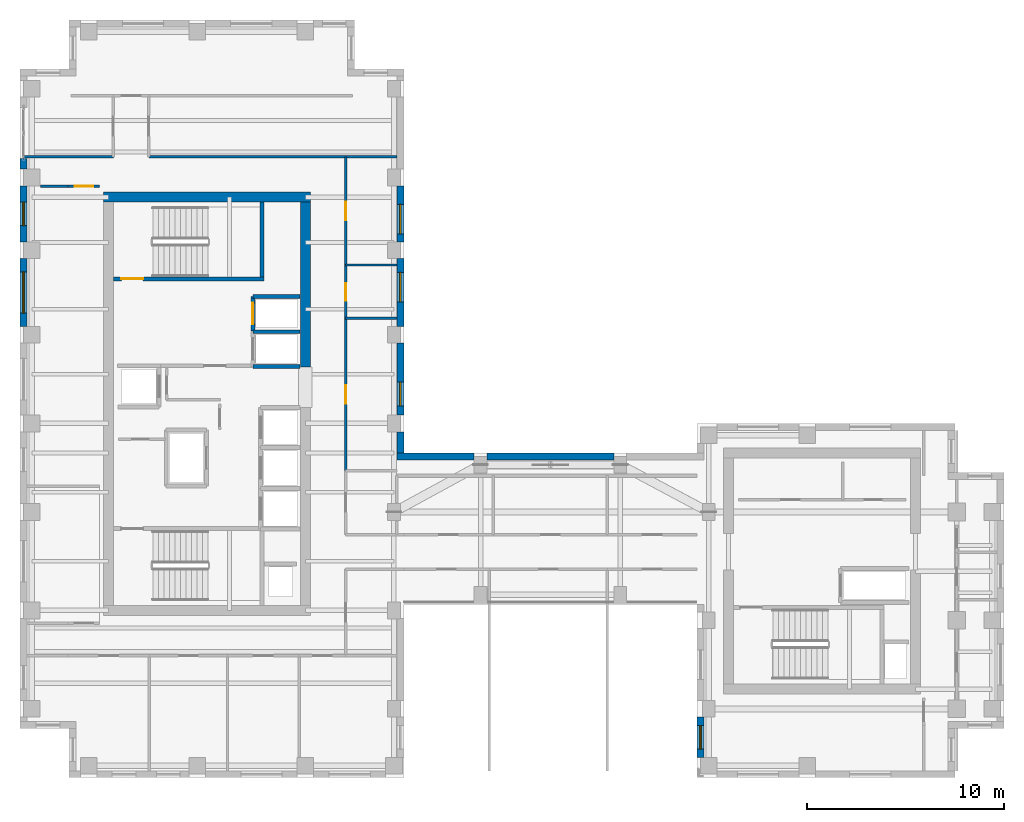
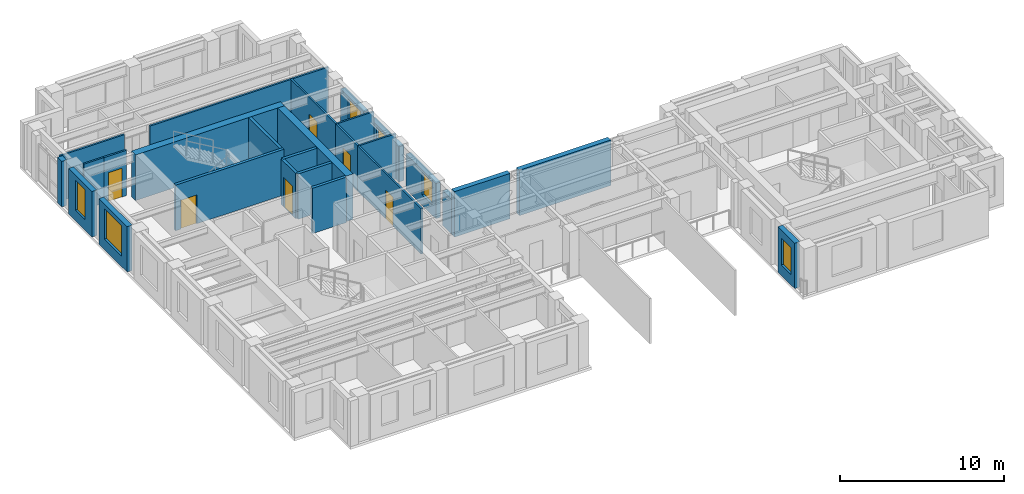
# One storey, part 8 of 14: 27 walls, 6 doors, 6 windows, 12 openings.
"""IFC4 building model written with IfcOpenShell, lengths in metres."""

from ifc_helpers import new_model, si_unit, direction, frame, frame_2d, origin, place, context, subcontext, project, spatial, rectangle, extrude, source, transform, mapped, material, layer, layer_set, type_object, element, fill, save


model = new_model("IFC4")

# Units and contexts
model_context = context("Model", 3, precision=1e-05, world=origin(), true_north=direction((0.0, 1.0)))
body_context = subcontext(model_context, "Body", "Model", "MODEL_VIEW")
ifc_project = project(units=[si_unit("LENGTHUNIT", "METRE"), si_unit("AREAUNIT", "SQUARE_METRE"), si_unit("VOLUMEUNIT", "CUBIC_METRE"), si_unit("PLANEANGLEUNIT", "RADIAN"), si_unit("MASSUNIT", "GRAM", prefix="KILO")], contexts=[model_context])

# Site, building, storey
site_placement = place(None, origin())
site = spatial("IfcSite", under=ifc_project, at=site_placement, CompositionType="ELEMENT")
building_placement = place(site_placement, origin())
building = spatial("IfcBuilding", under=site, at=building_placement, Name="Kharzan Plaza Tower", CompositionType="ELEMENT")
storey_placement = place(building_placement, frame((0.0, 0.0, 241.199951171875)))
storey = spatial("IfcBuildingStorey", under=building, at=storey_placement, Name="L65", CompositionType="ELEMENT", Elevation=241.199951171875)

# Wall, opening, window
ifc_material_1 = material(Name="Concrete C40/50", Category="concrete")
ifc_layer_1 = layer(ifc_material_1, 0.35009765625)
ifc_layer_set_1 = layer_set([ifc_layer_1], Name="Concrete C40/50")
wall_type_1 = type_object("IfcWallType", Name="WL-EXT-MAS-Z4", PredefinedType="SOLIDWALL", material=ifc_layer_set_1)
wall_1_placement = place(storey_placement, frame((19.324951171875, 18.423095703125, 0.0), z_axis=(0.0, 0.0, 1.0), x_axis=(0.0, 1.0, 0.0)))
wall_1 = element("IfcWall", 1, at=wall_1_placement, inside=storey, type_object=wall_type_1, Name="L65 Masonry-Frame Exterior Wall 02", PredefinedType="SOLIDWALL", context=body_context, shape_type="SweptSolid", body=[
    extrude(rectangle(XDim=3.65380859375, YDim=0.35009765625, at=frame_2d((1.826904296875, 0.0))), origin(), (0.0, 0.0, 1.0), 2.619140625),
])
opening_1_placement = place(wall_1_placement, frame((0.469970703125, 0.0, 0.780029296875)))
opening_1 = element("IfcOpeningElement", 2, at=opening_1_placement, cuts=wall_1, Name="Opening W3", PredefinedType="OPENING", context=body_context, shape_type="SweptSolid", body=[
    extrude(rectangle(XDim=1.199951171875, YDim=1.658935546875, at=frame_2d((0.60009765625, 0.82958984375))), frame((0.0, 0.18505859375, 0.0), z_axis=(0.0, -1.0, 0.0), x_axis=(1.0, 0.0, 0.0)), (0.0, 0.0, 1.0), 0.3701171875),
])
ifc_material_2 = material(Name="Low-E Double Glazing", Category="glass")
window_type_1 = type_object("IfcWindowType", Name="WN-REC-1200x2100", PartitioningType="SINGLE_PANEL", PredefinedType="WINDOW", material=ifc_material_2)
shared_shape_1 = source(origin(), body_context, "Body", "SweptSolid", [
    extrude(rectangle(XDim=1.199951171875, YDim=1.658935546875, at=frame_2d((0.60009765625, 0.82958984375))), frame((0.0, 0.030029296875, 0.0), z_axis=(0.0, -1.0, 0.0), x_axis=(1.0, 0.0, 0.0)), (0.0, 0.0, 1.0), 0.06005859375),
])
window_1_placement = place(opening_1_placement, origin())
window_1 = element("IfcWindow", 3, at=window_1_placement, inside=storey, type_object=window_type_1, Name="L65 Recessed Solar-Control Window 02-1", OverallHeight=1.658935546875, OverallWidth=1.199951171875, PartitioningType="SINGLE_PANEL", PredefinedType="WINDOW", context=body_context, shape_type="MappedRepresentation", body=[
    mapped(shared_shape_1, transform((0.0, 0.0, 0.0), x_axis=(1.0, 0.0, 0.0), y_axis=(0.0, 1.0, 0.0), z_axis=(0.0, 0.0, 1.0))),
])
fill(opening_1, window_1)

wall_2_placement = place(storey_placement, frame((19.324951171875, 22.923095703125, 0.0), z_axis=(0.0, 0.0, 1.0), x_axis=(0.0, 1.0, 0.0)))
wall_2 = element("IfcWall", 4, at=wall_2_placement, inside=storey, type_object=wall_type_1, Name="L65 Masonry-Frame Exterior Wall 03", PredefinedType="SOLIDWALL", context=body_context, shape_type="SweptSolid", body=[
    extrude(rectangle(XDim=3.453857421875, YDim=0.35009765625, at=frame_2d((1.72705078125, 0.0))), origin(), (0.0, 0.0, 1.0), 2.619140625),
])
opening_2_placement = place(wall_2_placement, frame((1.255615234375, 0.0, 0.780029296875)))
opening_2 = element("IfcOpeningElement", 5, at=opening_2_placement, cuts=wall_2, Name="Opening W5", PredefinedType="OPENING", context=body_context, shape_type="SweptSolid", body=[
    extrude(rectangle(XDim=1.5, YDim=1.658935546875, at=frame_2d((0.75, 0.82958984375))), frame((0.0, 0.18505859375, 0.0), z_axis=(0.0, -1.0, 0.0), x_axis=(1.0, 0.0, 0.0)), (0.0, 0.0, 1.0), 0.3701171875),
])
window_type_2 = type_object("IfcWindowType", Name="WN-SLT-1500x2000", PartitioningType="SINGLE_PANEL", PredefinedType="WINDOW", material=ifc_material_2)
shared_shape_2 = source(origin(), body_context, "Body", "SweptSolid", [
    extrude(rectangle(XDim=1.5, YDim=1.658935546875, at=frame_2d((0.75, 0.82958984375))), frame((0.0, 0.030029296875, 0.0), z_axis=(0.0, -1.0, 0.0), x_axis=(1.0, 0.0, 0.0)), (0.0, 0.0, 1.0), 0.06005859375),
])
window_2_placement = place(opening_2_placement, origin())
window_2 = element("IfcWindow", 6, at=window_2_placement, inside=storey, type_object=window_type_2, Name="L65 Recessed Solar-Control Window 03-1", OverallHeight=1.658935546875, OverallWidth=1.5, PartitioningType="SINGLE_PANEL", PredefinedType="WINDOW", context=body_context, shape_type="MappedRepresentation", body=[
    mapped(shared_shape_2, transform((0.0, 0.0, 0.0), x_axis=(1.0, 0.0, 0.0), y_axis=(0.0, 1.0, 0.0), z_axis=(0.0, 0.0, 1.0))),
])
fill(opening_2, window_2)

wall_3_placement = place(storey_placement, frame((19.324951171875, 27.222900390625, 0.0), z_axis=(0.0, 0.0, 1.0), x_axis=(0.0, 1.0, 0.0)))
wall_3 = element("IfcWall", 7, at=wall_3_placement, inside=storey, type_object=wall_type_1, Name="L65 Masonry-Frame Exterior Wall 04", PredefinedType="SOLIDWALL", context=body_context, shape_type="SweptSolid", body=[
    extrude(rectangle(XDim=2.85400390625, YDim=0.35009765625, at=frame_2d((1.427001953125, 0.0))), origin(), (0.0, 0.0, 1.0), 2.619140625),
])
opening_3_placement = place(wall_3_placement, frame((0.411376953125, 0.0, 0.780029296875)))
opening_3 = element("IfcOpeningElement", 8, at=opening_3_placement, cuts=wall_3, Name="Opening W5", PredefinedType="OPENING", context=body_context, shape_type="SweptSolid", body=[
    extrude(rectangle(XDim=1.5, YDim=1.658935546875, at=frame_2d((0.75, 0.82958984375))), frame((0.0, 0.18505859375, 0.0), z_axis=(0.0, -1.0, 0.0), x_axis=(1.0, 0.0, 0.0)), (0.0, 0.0, 1.0), 0.3701171875),
])
window_3_placement = place(opening_3_placement, origin())
window_3 = element("IfcWindow", 9, at=window_3_placement, inside=storey, type_object=window_type_2, Name="L65 Recessed Solar-Control Window 04-1", OverallHeight=1.658935546875, OverallWidth=1.5, PartitioningType="SINGLE_PANEL", PredefinedType="WINDOW", context=body_context, shape_type="MappedRepresentation", body=[
    mapped(shared_shape_2, transform((0.0, 0.0, 0.0), x_axis=(1.0, 0.0, 0.0), y_axis=(0.0, 1.0, 0.0), z_axis=(0.0, 0.0, 1.0))),
])
fill(opening_3, window_3)

wall_4_placement = place(storey_placement, frame((0.175048828125, 30.076904296875, 0.0), z_axis=(0.0, 0.0, 1.0), x_axis=(0.0, -1.0, 0.0)))
wall_4 = element("IfcWall", 10, at=wall_4_placement, inside=storey, type_object=wall_type_1, Name="L65 Masonry-Frame Exterior Wall 18", PredefinedType="SOLIDWALL", context=body_context, shape_type="SweptSolid", body=[
    extrude(rectangle(XDim=2.85400390625, YDim=0.35009765625, at=frame_2d((1.427001953125, 0.0))), origin(), (0.0, 0.0, 1.0), 3.385009765625),
])
opening_4_placement = place(wall_4_placement, frame((0.826904296875, 0.0, 0.780029296875)))
opening_4 = element("IfcOpeningElement", 11, at=opening_4_placement, cuts=wall_4, Name="Opening W3", PredefinedType="OPENING", context=body_context, shape_type="SweptSolid", body=[
    extrude(rectangle(XDim=1.199951171875, YDim=2.25, at=frame_2d((0.60009765625, 1.125))), frame((0.0, 0.18505859375, 0.0), z_axis=(0.0, -1.0, 0.0), x_axis=(1.0, 0.0, 0.0)), (0.0, 0.0, 1.0), 0.3701171875),
])
shared_shape_3 = source(origin(), body_context, "Body", "SweptSolid", [
    extrude(rectangle(XDim=1.199951171875, YDim=2.25, at=frame_2d((0.60009765625, 1.125))), frame((0.0, 0.030029296875, 0.0), z_axis=(0.0, -1.0, 0.0), x_axis=(1.0, 0.0, 0.0)), (0.0, 0.0, 1.0), 0.06005859375),
])
window_4_placement = place(opening_4_placement, origin())
window_4 = element("IfcWindow", 12, at=window_4_placement, inside=storey, type_object=window_type_1, Name="L65 Recessed Solar-Control Window 18-1", OverallHeight=2.25, OverallWidth=1.199951171875, PartitioningType="SINGLE_PANEL", PredefinedType="WINDOW", context=body_context, shape_type="MappedRepresentation", body=[
    mapped(shared_shape_3, transform((0.0, 0.0, 0.0), x_axis=(1.0, 0.0, 0.0), y_axis=(0.0, 1.0, 0.0), z_axis=(0.0, 0.0, 1.0))),
])
fill(opening_4, window_4)

wall_5_placement = place(storey_placement, frame((0.175048828125, 26.376953125, 0.0), z_axis=(0.0, 0.0, 1.0), x_axis=(0.0, -1.0, 0.0)))
wall_5 = element("IfcWall", 13, at=wall_5_placement, inside=storey, type_object=wall_type_1, Name="L65 Masonry-Frame Exterior Wall 19", PredefinedType="SOLIDWALL", context=body_context, shape_type="SweptSolid", body=[
    extrude(rectangle(XDim=3.453857421875, YDim=0.35009765625, at=frame_2d((1.72705078125, 0.0))), origin(), (0.0, 0.0, 1.0), 3.385009765625),
])
opening_5_placement = place(wall_5_placement, frame((0.677001953125, 0.0, 0.780029296875)))
opening_5 = element("IfcOpeningElement", 14, at=opening_5_placement, cuts=wall_5, Name="Opening W6", PredefinedType="OPENING", context=body_context, shape_type="SweptSolid", body=[
    extrude(rectangle(XDim=2.10009765625, YDim=2.25, at=frame_2d((1.050048828125, 1.125))), frame((0.0, 0.18505859375, 0.0), z_axis=(0.0, -1.0, 0.0), x_axis=(1.0, 0.0, 0.0)), (0.0, 0.0, 1.0), 0.3701171875),
])
window_type_3 = type_object("IfcWindowType", Name="WN-EXEC-2100x2250", PartitioningType="SINGLE_PANEL", PredefinedType="WINDOW", material=ifc_material_2)
shared_shape_4 = source(origin(), body_context, "Body", "SweptSolid", [
    extrude(rectangle(XDim=2.10009765625, YDim=2.25, at=frame_2d((1.050048828125, 1.125))), frame((0.0, 0.030029296875, 0.0), z_axis=(0.0, -1.0, 0.0), x_axis=(1.0, 0.0, 0.0)), (0.0, 0.0, 1.0), 0.06005859375),
])
window_5_placement = place(opening_5_placement, origin())
window_5 = element("IfcWindow", 15, at=window_5_placement, inside=storey, type_object=window_type_3, Name="L65 Recessed Solar-Control Window 19-1", OverallHeight=2.25, OverallWidth=2.10009765625, PartitioningType="SINGLE_PANEL", PredefinedType="WINDOW", context=body_context, shape_type="MappedRepresentation", body=[
    mapped(shared_shape_4, transform((0.0, 0.0, 0.0), x_axis=(1.0, 0.0, 0.0), y_axis=(0.0, 1.0, 0.0), z_axis=(0.0, 0.0, 1.0))),
])
fill(opening_5, window_5)

wall_6_placement = place(storey_placement, frame((34.574951171875, 3.076904296875, 0.0), z_axis=(0.0, 0.0, 1.0), x_axis=(0.0, -1.0, 0.0)))
wall_6 = element("IfcWall", 16, at=wall_6_placement, inside=storey, type_object=wall_type_1, Name="L65 Masonry-Frame Exterior Wall 35", PredefinedType="SOLIDWALL", context=body_context, shape_type="SweptSolid", body=[
    extrude(rectangle(XDim=2.053955078125, YDim=0.35009765625, at=frame_2d((1.02685546875, 0.0))), origin(), (0.0, 0.0, 1.0), 3.385009765625),
])
opening_6_placement = place(wall_6_placement, frame((0.427001953125, 0.0, 0.780029296875)))
opening_6 = element("IfcOpeningElement", 17, at=opening_6_placement, cuts=wall_6, Name="Opening W3", PredefinedType="OPENING", context=body_context, shape_type="SweptSolid", body=[
    extrude(rectangle(XDim=1.199951171875, YDim=2.0, at=frame_2d((0.60009765625, 1.0))), frame((0.0, 0.18505859375, 0.0), z_axis=(0.0, -1.0, 0.0), x_axis=(1.0, 0.0, 0.0)), (0.0, 0.0, 1.0), 0.3701171875),
])
shared_shape_5 = source(origin(), body_context, "Body", "SweptSolid", [
    extrude(rectangle(XDim=1.199951171875, YDim=2.0, at=frame_2d((0.60009765625, 1.0))), frame((0.0, 0.030029296875, 0.0), z_axis=(0.0, -1.0, 0.0), x_axis=(1.0, 0.0, 0.0)), (0.0, 0.0, 1.0), 0.06005859375),
])
window_6_placement = place(opening_6_placement, origin())
window_6 = element("IfcWindow", 18, at=window_6_placement, inside=storey, type_object=window_type_1, Name="L65 Recessed Solar-Control Window 35-1", OverallHeight=2.0, OverallWidth=1.199951171875, PartitioningType="SINGLE_PANEL", PredefinedType="WINDOW", context=body_context, shape_type="MappedRepresentation", body=[
    mapped(shared_shape_5, transform((0.0, 0.0, 0.0), x_axis=(1.0, 0.0, 0.0), y_axis=(0.0, 1.0, 0.0), z_axis=(0.0, 0.0, 1.0))),
])
fill(opening_6, window_6)

# Wall, opening, door
ifc_material_3 = material(Name="Fire-Rated Gypsum Board Partition", Category="gypsum")
ifc_layer_2 = layer(ifc_material_3, 0.125)
ifc_layer_set_2 = layer_set([ifc_layer_2], Name="Fire-Rated Gypsum Board Partition")
wall_type_2 = type_object("IfcWallType", Name="WL-INT-PART-125", PredefinedType="PARTITIONING", material=ifc_layer_set_2)
wall_7_placement = place(storey_placement, frame((16.550048828125, 15.60009765625, 0.0), z_axis=(0.0, 0.0, 1.0), x_axis=(0.0, 1.0, 0.0)))
wall_7 = element("IfcWall", 19, at=wall_7_placement, inside=storey, type_object=wall_type_2, Name="L65 Interior Partition SH-AEWN2", PredefinedType="PARTITIONING", context=body_context, shape_type="SweptSolid", body=[
    extrude(rectangle(XDim=7.75, YDim=0.125, at=frame_2d((3.875, 0.0))), origin(), (0.0, 0.0, 1.0), 3.385009765625),
])
opening_7_placement = place(wall_7_placement, frame((3.39990234375, 0.0, 0.0)))
opening_7 = element("IfcOpeningElement", 20, at=opening_7_placement, cuts=wall_7, Name="Opening OD1", PredefinedType="OPENING", context=body_context, shape_type="SweptSolid", body=[
    extrude(rectangle(XDim=0.949951171875, YDim=2.14990234375, at=frame_2d((0.47509765625, 1.074951171875))), frame((0.0, 0.072509765625, 0.0), z_axis=(0.0, -1.0, 0.0), x_axis=(1.0, 0.0, 0.0)), (0.0, 0.0, 1.0), 0.14501953125),
])
ifc_material_4 = material(Name="Acoustic Solid-Core Stained Oak", Category="timber")
door_type_1 = type_object("IfcDoorType", Name="DR-OFF-SINGLE", OperationType="NOTDEFINED", PredefinedType="DOOR", material=ifc_material_4)
shared_shape_6 = source(origin(), body_context, "Body", "SweptSolid", [
    extrude(rectangle(XDim=0.949951171875, YDim=2.14990234375, at=frame_2d((0.47509765625, 1.074951171875))), frame((0.0, 0.02490234375, 0.0), z_axis=(0.0, -1.0, 0.0), x_axis=(1.0, 0.0, 0.0)), (0.0, 0.0, 1.0), 0.050048828125),
])
door_1_placement = place(opening_7_placement, origin())
door_1 = element("IfcDoor", 21, at=door_1_placement, inside=storey, type_object=door_type_1, Name="L65 Slot Studio Door", OperationType="SINGLE_SWING_LEFT", OverallHeight=2.14990234375, OverallWidth=0.949951171875, PredefinedType="DOOR", context=body_context, shape_type="MappedRepresentation", body=[
    mapped(shared_shape_6, transform((0.0, 0.0, 0.0), x_axis=(1.0, 0.0, 0.0), y_axis=(0.0, 1.0, 0.0), z_axis=(0.0, 0.0, 1.0))),
])
fill(opening_7, door_1)

wall_8_placement = place(storey_placement, frame((16.550048828125, 26.050048828125, 0.0), z_axis=(0.0, 0.0, 1.0), x_axis=(0.0, 1.0, 0.0)))
wall_8 = element("IfcWall", 22, at=wall_8_placement, inside=storey, type_object=wall_type_2, Name="L65 Interior Partition SH-AEWN3", PredefinedType="PARTITIONING", context=body_context, shape_type="SweptSolid", body=[
    extrude(rectangle(XDim=5.5, YDim=0.125, at=frame_2d((2.75, 0.0))), origin(), (0.0, 0.0, 1.0), 3.385009765625),
])
opening_8_placement = place(wall_8_placement, frame((2.27490234375, 0.0, 0.0)))
opening_8 = element("IfcOpeningElement", 23, at=opening_8_placement, cuts=wall_8, Name="Opening OD1", PredefinedType="OPENING", context=body_context, shape_type="SweptSolid", body=[
    extrude(rectangle(XDim=0.949951171875, YDim=2.14990234375, at=frame_2d((0.47509765625, 1.074951171875))), frame((0.0, 0.072509765625, 0.0), z_axis=(0.0, -1.0, 0.0), x_axis=(1.0, 0.0, 0.0)), (0.0, 0.0, 1.0), 0.14501953125),
])
door_2_placement = place(opening_8_placement, origin())
door_2 = element("IfcDoor", 24, at=door_2_placement, inside=storey, type_object=door_type_1, Name="L65 Staff Tea Point Door", OperationType="SINGLE_SWING_LEFT", OverallHeight=2.14990234375, OverallWidth=0.949951171875, PredefinedType="DOOR", context=body_context, shape_type="MappedRepresentation", body=[
    mapped(shared_shape_6, transform((0.0, 0.0, 0.0), x_axis=(1.0, 0.0, 0.0), y_axis=(0.0, 1.0, 0.0), z_axis=(0.0, 0.0, 1.0))),
])
fill(opening_8, door_2)

wall_9_placement = place(storey_placement, frame((16.550048828125, 23.35009765625, 0.0), z_axis=(0.0, 0.0, 1.0), x_axis=(0.0, 1.0, 0.0)))
wall_9 = element("IfcWall", 25, at=wall_9_placement, inside=storey, type_object=wall_type_2, Name="L65 Interior Partition SH-AEWW", PredefinedType="PARTITIONING", context=body_context, shape_type="SweptSolid", body=[
    extrude(rectangle(XDim=2.699951171875, YDim=0.125, at=frame_2d((1.35009765625, 0.0))), origin(), (0.0, 0.0, 1.0), 3.385009765625),
])
opening_9_placement = place(wall_9_placement, frame((0.875, 0.0, 0.0)))
opening_9 = element("IfcOpeningElement", 26, at=opening_9_placement, cuts=wall_9, Name="Opening WD1", PredefinedType="OPENING", context=body_context, shape_type="SweptSolid", body=[
    extrude(rectangle(XDim=0.89990234375, YDim=2.14990234375, at=frame_2d((0.449951171875, 1.074951171875))), frame((0.0, 0.072509765625, 0.0), z_axis=(0.0, -1.0, 0.0), x_axis=(1.0, 0.0, 0.0)), (0.0, 0.0, 1.0), 0.14501953125),
])
ifc_material_5 = material(Name="Moisture-Resistant Fire-Rated Laminate", Category="timber")
door_type_2 = type_object("IfcDoorType", Name="DR-WC-900", OperationType="NOTDEFINED", PredefinedType="DOOR", material=ifc_material_5)
shared_shape_7 = source(origin(), body_context, "Body", "SweptSolid", [
    extrude(rectangle(XDim=0.89990234375, YDim=2.14990234375, at=frame_2d((0.449951171875, 1.074951171875))), frame((0.0, 0.02490234375, 0.0), z_axis=(0.0, -1.0, 0.0), x_axis=(1.0, 0.0, 0.0)), (0.0, 0.0, 1.0), 0.050048828125),
])
door_3_placement = place(opening_9_placement, origin())
door_3 = element("IfcDoor", 27, at=door_3_placement, inside=storey, type_object=door_type_2, Name="L65 Wing A Washroom Door", OperationType="SINGLE_SWING_RIGHT", OverallHeight=2.14990234375, OverallWidth=0.89990234375, PredefinedType="DOOR", context=body_context, shape_type="MappedRepresentation", body=[
    mapped(shared_shape_7, transform((0.0, 0.0, 0.0), x_axis=(1.0, 0.0, 0.0), y_axis=(0.0, 1.0, 0.0), z_axis=(0.0, 0.0, 1.0))),
])
fill(opening_9, door_3)

wall_10_placement = place(storey_placement, frame((2.449951171875, 30.050048828125, 0.0), z_axis=(0.0, 0.0, 1.0), x_axis=(1.0, 0.0, 0.0)))
wall_10 = element("IfcWall", 28, at=wall_10_placement, inside=storey, type_object=wall_type_2, Name="L65 Interior Partition SH-RWND", PredefinedType="PARTITIONING", context=body_context, shape_type="SweptSolid", body=[
    extrude(rectangle(XDim=1.60009765625, YDim=0.125, at=frame_2d((0.800048828125, 0.0))), origin(), (0.0, 0.0, 1.0), 3.385009765625),
])
opening_10_placement = place(wall_10_placement, frame((0.324951171875, 0.0, 0.0)))
opening_10 = element("IfcOpeningElement", 29, at=opening_10_placement, cuts=wall_10, Name="Opening OD1", PredefinedType="OPENING", context=body_context, shape_type="SweptSolid", body=[
    extrude(rectangle(XDim=0.949951171875, YDim=2.14990234375, at=frame_2d((0.47509765625, 1.074951171875))), frame((0.0, 0.072509765625, 0.0), z_axis=(0.0, -1.0, 0.0), x_axis=(1.0, 0.0, 0.0)), (0.0, 0.0, 1.0), 0.14501953125),
])
door_4_placement = place(opening_10_placement, origin())
door_4 = element("IfcDoor", 30, at=door_4_placement, inside=storey, type_object=door_type_1, Name="L65 West Office 2 Door", OperationType="SINGLE_SWING_LEFT", OverallHeight=2.14990234375, OverallWidth=0.949951171875, PredefinedType="DOOR", context=body_context, shape_type="MappedRepresentation", body=[
    mapped(shared_shape_6, transform((0.0, 0.0, 0.0), x_axis=(1.0, 0.0, 0.0), y_axis=(0.0, 1.0, 0.0), z_axis=(0.0, 0.0, 1.0))),
])
fill(opening_10, door_4)

ifc_layer_3 = layer(ifc_material_1, 0.199951171875)
ifc_layer_set_3 = layer_set([ifc_layer_3], Name="Concrete C40/50")
wall_type_3 = type_object("IfcWallType", Name="WL-INT-SHAFT-200", PredefinedType="PARTITIONING", material=ifc_layer_set_3)
wall_11_placement = place(storey_placement, frame((11.830078125, 22.699951171875, 0.0), z_axis=(0.0, 0.0, 1.0), x_axis=(0.0, 1.0, 0.0)))
wall_11 = element("IfcWall", 31, at=wall_11_placement, inside=storey, type_object=wall_type_3, Name="L65 Interior Partition SHF-FFL-2-W", PredefinedType="PARTITIONING", context=body_context, shape_type="SweptSolid", body=[
    extrude(rectangle(XDim=1.760009765625, YDim=0.199951171875, at=frame_2d((0.8798828125, 0.0))), origin(), (0.0, 0.0, 1.0), 3.385009765625),
])
opening_11_placement = place(wall_11_placement, frame((0.330078125, 0.0, 0.0)))
opening_11 = element("IfcOpeningElement", 32, at=opening_11_placement, cuts=wall_11, Name="Opening LD", PredefinedType="OPENING", context=body_context, shape_type="SweptSolid", body=[
    extrude(rectangle(XDim=1.10009765625, YDim=2.199951171875, at=frame_2d((0.550048828125, 1.10009765625))), frame((0.0, 0.10986328125, 0.0), z_axis=(0.0, -1.0, 0.0), x_axis=(1.0, 0.0, 0.0)), (0.0, 0.0, 1.0), 0.219970703125),
])
ifc_material_6 = material(Name="Brushed Stainless Steel", Category="steel")
door_type_3 = type_object("IfcDoorType", Name="DR-LIFT-SLIDE", OperationType="SLIDING_TO_LEFT", PredefinedType="DOOR", material=ifc_material_6)
shared_shape_8 = source(origin(), body_context, "Body", "SweptSolid", [
    extrude(rectangle(XDim=1.10009765625, YDim=2.199951171875, at=frame_2d((0.550048828125, 1.10009765625))), frame((0.0, 0.02490234375, 0.0), z_axis=(0.0, -1.0, 0.0), x_axis=(1.0, 0.0, 0.0)), (0.0, 0.0, 1.0), 0.050048828125),
])
door_5_placement = place(opening_11_placement, origin())
door_5 = element("IfcDoor", 33, at=door_5_placement, inside=storey, type_object=door_type_3, Name="L65 Firefighting Lift FFL-2 Sliding Landing Door", OperationType="SLIDING_TO_LEFT", OverallHeight=2.199951171875, OverallWidth=1.10009765625, PredefinedType="DOOR", context=body_context, shape_type="MappedRepresentation", body=[
    mapped(shared_shape_8, transform((0.0, 0.0, 0.0), x_axis=(1.0, 0.0, 0.0), y_axis=(0.0, 1.0, 0.0), z_axis=(0.0, 0.0, 1.0))),
])
fill(opening_11, door_5)

ifc_material_7 = material(Name="Concrete C50/60", Category="concrete")
ifc_layer_4 = layer(ifc_material_7, 0.199951171875)
ifc_layer_set_4 = layer_set([ifc_layer_4], Name="Concrete C50/60")
wall_type_4 = type_object("IfcWallType", Name="WL-SHAFT-RC200", PredefinedType="SHEAR", material=ifc_layer_set_4)
wall_12_placement = place(storey_placement, frame((4.751953125, 25.344970703125, 0.0), z_axis=(0.0, 0.0, 1.0), x_axis=(1.0, 0.0, 0.0)))
wall_12 = element("IfcWall", 34, at=wall_12_placement, inside=storey, type_object=wall_type_4, Name="L65 Stair ST-2 South RC Shaft Wall", PredefinedType="SHEAR", context=body_context, shape_type="SweptSolid", body=[
    extrude(rectangle(XDim=7.653076171875, YDim=0.199951171875, at=frame_2d((3.82666015625, 0.0))), origin(), (0.0, 0.0, 1.0), 3.400146484375),
])
opening_12_placement = place(wall_12_placement, frame((0.39990234375, 0.0, 0.0)))
opening_12 = element("IfcOpeningElement", 35, at=opening_12_placement, cuts=wall_12, Name="Opening SD1", PredefinedType="OPENING", context=body_context, shape_type="SweptSolid", body=[
    extrude(rectangle(XDim=1.10009765625, YDim=2.14990234375, at=frame_2d((0.550048828125, 1.074951171875))), frame((0.0, 0.10986328125, 0.0), z_axis=(0.0, -1.0, 0.0), x_axis=(1.0, 0.0, 0.0)), (0.0, 0.0, 1.0), 0.219970703125),
])
ifc_material_8 = material(Name="Fire-Rated Hollow Galvanized Steel", Category="steel")
door_type_4 = type_object("IfcDoorType", Name="DR-STAIR-FD120", OperationType="NOTDEFINED", PredefinedType="DOOR", material=ifc_material_8)
shared_shape_9 = source(origin(), body_context, "Body", "SweptSolid", [
    extrude(rectangle(XDim=1.10009765625, YDim=2.14990234375, at=frame_2d((0.550048828125, 1.074951171875))), frame((0.0, 0.02490234375, 0.0), z_axis=(0.0, -1.0, 0.0), x_axis=(1.0, 0.0, 0.0)), (0.0, 0.0, 1.0), 0.050048828125),
])
door_6_placement = place(opening_12_placement, origin())
door_6 = element("IfcDoor", 36, at=door_6_placement, inside=storey, type_object=door_type_4, Name="L65 Stair ST-2 Fire Exit Door", OperationType="SINGLE_SWING_RIGHT", OverallHeight=2.14990234375, OverallWidth=1.10009765625, PredefinedType="DOOR", context=body_context, shape_type="MappedRepresentation", body=[
    mapped(shared_shape_9, transform((0.0, 0.0, 0.0), x_axis=(1.0, 0.0, 0.0), y_axis=(0.0, 1.0, 0.0), z_axis=(0.0, 0.0, 1.0))),
])
fill(opening_12, door_6)

# Walls
shared_shape_10 = source(origin(), body_context, "Body", "SweptSolid", [
    extrude(rectangle(XDim=2.597900390625, YDim=0.125, at=frame_2d((1.298828125, 0.0))), origin(), (0.0, 0.0, 1.0), 3.385009765625),
])
for number, where, z_axis, x_axis, name in (
    (37, (16.550048828125, 23.35009765625, 0.0), (0.0, 0.0, 1.0), (1.0, 0.0, 0.0), "L65 Interior Partition SH-AEH-233"),
    (38, (16.550048828125, 26.050048828125, 0.0), (0.0, 0.0, 1.0), (1.0, 0.0, 0.0), "L65 Interior Partition SH-AEH-260"),
):
    element("IfcWall", number, at=place(storey_placement, frame(where, z_axis=z_axis, x_axis=x_axis)), inside=storey, type_object=wall_type_2, Name=name, PredefinedType="PARTITIONING", context=body_context, shape_type="MappedRepresentation", body=[
        mapped(shared_shape_10, transform((0.0, 0.0, 0.0), x_axis=(1.0, 0.0, 0.0), y_axis=(0.0, 1.0, 0.0), z_axis=(0.0, 0.0, 1.0))),
    ])
shared_shape_11 = source(origin(), body_context, "Body", "SweptSolid", [
    extrude(rectangle(XDim=12.597900390625, YDim=0.125, at=frame_2d((6.298828125, 0.0))), origin(), (0.0, 0.0, 1.0), 3.385009765625),
])
wall_13_placement = place(storey_placement, frame((6.550048828125, 31.550048828125, 0.0), z_axis=(0.0, 0.0, 1.0), x_axis=(1.0, 0.0, 0.0)))
element("IfcWall", 39, at=wall_13_placement, inside=storey, type_object=wall_type_2, Name="L65 Interior Partition SH-NNE", PredefinedType="PARTITIONING", context=body_context, shape_type="MappedRepresentation", body=[
    mapped(shared_shape_11, transform((0.0, 0.0, 0.0), x_axis=(1.0, 0.0, 0.0), y_axis=(0.0, 1.0, 0.0), z_axis=(0.0, 0.0, 1.0))),
])
ifc_layer_5 = layer(ifc_material_7, 0.5)
ifc_layer_set_5 = layer_set([ifc_layer_5], Name="Concrete C50/60")
wall_type_5 = type_object("IfcWallType", Name="WL-CORE-500", PredefinedType="SHEAR", material=ifc_layer_set_5)
shared_shape_12 = source(origin(), body_context, "Body", "SweptSolid", [
    extrude(rectangle(XDim=8.3701171875, YDim=0.5, at=frame_2d((4.18505859375, 0.0))), origin(), (0.0, 0.0, 1.0), 3.400146484375),
])
wall_14_placement = place(storey_placement, frame((14.5, 20.8798828125, 0.0), z_axis=(0.0, 0.0, 1.0), x_axis=(0.0, 1.0, 0.0)))
element("IfcWall", 40, at=wall_14_placement, inside=storey, type_object=wall_type_5, Name="L65 CORE-A east shear pier 2", PredefinedType="SHEAR", context=body_context, shape_type="MappedRepresentation", body=[
    mapped(shared_shape_12, transform((0.0, 0.0, 0.0), x_axis=(1.0, 0.0, 0.0), y_axis=(0.0, 1.0, 0.0), z_axis=(0.0, 0.0, 1.0))),
])
shared_shape_13 = source(origin(), body_context, "Body", "SweptSolid", [
    extrude(rectangle(XDim=10.5, YDim=0.5, at=frame_2d((5.25, 0.0))), origin(), (0.0, 0.0, 1.0), 3.400146484375),
])
wall_15_placement = place(storey_placement, frame((4.25, 29.5, 0.0), z_axis=(0.0, 0.0, 1.0), x_axis=(1.0, 0.0, 0.0)))
element("IfcWall", 41, at=wall_15_placement, inside=storey, type_object=wall_type_5, Name="L65 CORE-A north RC shear wall", PredefinedType="SHEAR", context=body_context, shape_type="MappedRepresentation", body=[
    mapped(shared_shape_13, transform((0.0, 0.0, 0.0), x_axis=(1.0, 0.0, 0.0), y_axis=(0.0, 1.0, 0.0), z_axis=(0.0, 0.0, 1.0))),
])
shared_shape_14 = source(origin(), body_context, "Body", "SweptSolid", [
    extrude(rectangle(XDim=0.52685546875, YDim=0.35009765625, at=frame_2d((0.263427734375, 0.0))), origin(), (0.0, 0.0, 1.0), 3.385009765625),
])
wall_16_placement = place(storey_placement, frame((0.175048828125, 31.449951171875, 0.0), z_axis=(0.0, 0.0, 1.0), x_axis=(0.0, -1.0, 0.0)))
element("IfcWall", 42, at=wall_16_placement, inside=storey, type_object=wall_type_1, Name="L65 Masonry-Frame Exterior Wall 17", PredefinedType="SOLIDWALL", context=body_context, shape_type="MappedRepresentation", body=[
    mapped(shared_shape_14, transform((0.0, 0.0, 0.0), x_axis=(1.0, 0.0, 0.0), y_axis=(0.0, 1.0, 0.0), z_axis=(0.0, 0.0, 1.0))),
])
shared_shape_15 = source(origin(), body_context, "Body", "SweptSolid", [
    extrude(rectangle(XDim=2.389892578125, YDim=0.199951171875, at=frame_2d((1.19482421875, 0.0))), origin(), (0.0, 0.0, 1.0), 3.385009765625),
])
for number, where, z_axis, x_axis, name in (
    (43, (11.830078125, 22.659912109375, 0.0), (0.0, 0.0, 1.0), (1.0, 0.0, 0.0), "L65 Interior Partition SHF-FFL-1-N"),
    (44, (11.830078125, 20.89990234375, 0.0), (0.0, 0.0, 1.0), (1.0, 0.0, 0.0), "L65 Interior Partition SHF-FFL-1-S"),
    (45, (11.830078125, 24.4599609375, 0.0), (0.0, 0.0, 1.0), (1.0, 0.0, 0.0), "L65 Interior Partition SHF-FFL-2-N"),
):
    element("IfcWall", number, at=place(storey_placement, frame(where, z_axis=z_axis, x_axis=x_axis)), inside=storey, type_object=wall_type_3, Name=name, PredefinedType="PARTITIONING", context=body_context, shape_type="MappedRepresentation", body=[
        mapped(shared_shape_15, transform((0.0, 0.0, 0.0), x_axis=(1.0, 0.0, 0.0), y_axis=(0.0, 1.0, 0.0), z_axis=(0.0, 0.0, 1.0))),
    ])
shared_shape_16 = source(origin(), body_context, "Body", "SweptSolid", [
    extrude(rectangle(XDim=3.802978515625, YDim=0.199951171875, at=frame_2d((1.9013671875, 0.0))), origin(), (0.0, 0.0, 1.0), 3.400146484375),
])
wall_17_placement = place(storey_placement, frame((12.304931640625, 25.445068359375, 0.0), z_axis=(0.0, 0.0, 1.0), x_axis=(0.0, 1.0, 0.0)))
element("IfcWall", 46, at=wall_17_placement, inside=storey, type_object=wall_type_4, Name="L65 Stair ST-2 East RC Shaft Wall", PredefinedType="SHEAR", context=body_context, shape_type="MappedRepresentation", body=[
    mapped(shared_shape_16, transform((0.0, 0.0, 0.0), x_axis=(1.0, 0.0, 0.0), y_axis=(0.0, 1.0, 0.0), z_axis=(0.0, 0.0, 1.0))),
])
shared_shape_17 = source(origin(), body_context, "Body", "SweptSolid", [
    extrude(rectangle(XDim=1.39990234375, YDim=0.125, at=frame_2d((0.699951171875, 0.0))), origin(), (0.0, 0.0, 1.0), 3.385009765625),
])
wall_18_placement = place(storey_placement, frame((1.050048828125, 30.050048828125, 0.0), z_axis=(0.0, 0.0, 1.0), x_axis=(1.0, 0.0, 0.0)))
element("IfcWall", 47, at=wall_18_placement, inside=storey, type_object=wall_type_2, Name="L65 Interior Partition SH-RWN0", PredefinedType="PARTITIONING", context=body_context, shape_type="MappedRepresentation", body=[
    mapped(shared_shape_17, transform((0.0, 0.0, 0.0), x_axis=(1.0, 0.0, 0.0), y_axis=(0.0, 1.0, 0.0), z_axis=(0.0, 0.0, 1.0))),
])
shared_shape_18 = source(origin(), body_context, "Body", "SweptSolid", [
    extrude(rectangle(XDim=1.078857421875, YDim=0.35009765625, at=frame_2d((0.53955078125, 0.0))), origin(), (0.0, 0.0, 1.0), 2.619140625),
])
wall_19_placement = place(storey_placement, frame((19.324951171875, 16.498046875, 0.0), z_axis=(0.0, 0.0, 1.0), x_axis=(0.0, 1.0, 0.0)))
element("IfcWall", 48, at=wall_19_placement, inside=storey, type_object=wall_type_1, Name="L65 Masonry-Frame Exterior Wall 01", PredefinedType="SOLIDWALL", context=body_context, shape_type="MappedRepresentation", body=[
    mapped(shared_shape_18, transform((0.0, 0.0, 0.0), x_axis=(1.0, 0.0, 0.0), y_axis=(0.0, 1.0, 0.0), z_axis=(0.0, 0.0, 1.0))),
])
shared_shape_19 = source(origin(), body_context, "Body", "SweptSolid", [
    extrude(rectangle(XDim=3.927001953125, YDim=0.35009765625, at=frame_2d((1.96337890625, 0.0))), origin(), (0.0, 0.0, 1.0), 3.385009765625),
])
wall_20_placement = place(storey_placement, frame((23.076904296875, 16.324951171875, 0.0), z_axis=(0.0, 0.0, 1.0), x_axis=(-1.0, 0.0, 0.0)))
element("IfcWall", 49, at=wall_20_placement, inside=storey, type_object=wall_type_1, Name="L65 Masonry-Frame Exterior Wall 51", PredefinedType="SOLIDWALL", context=body_context, shape_type="MappedRepresentation", body=[
    mapped(shared_shape_19, transform((0.0, 0.0, 0.0), x_axis=(1.0, 0.0, 0.0), y_axis=(0.0, 1.0, 0.0), z_axis=(0.0, 0.0, 1.0))),
])
shared_shape_20 = source(origin(), body_context, "Body", "SweptSolid", [
    extrude(rectangle(XDim=6.4541015625, YDim=0.35009765625, at=frame_2d((3.22705078125, 0.0))), origin(), (0.0, 0.0, 1.0), 3.385009765625),
])
wall_21_placement = place(storey_placement, frame((30.177001953125, 16.324951171875, 0.0), z_axis=(0.0, 0.0, 1.0), x_axis=(-1.0, 0.0, 0.0)))
element("IfcWall", 50, at=wall_21_placement, inside=storey, type_object=wall_type_1, Name="L65 Masonry-Frame Exterior Wall 50", PredefinedType="SOLIDWALL", context=body_context, shape_type="MappedRepresentation", body=[
    mapped(shared_shape_20, transform((0.0, 0.0, 0.0), x_axis=(1.0, 0.0, 0.0), y_axis=(0.0, 1.0, 0.0), z_axis=(0.0, 0.0, 1.0))),
])
shared_shape_21 = source(origin(), body_context, "Body", "SweptSolid", [
    extrude(rectangle(XDim=4.5400390625, YDim=0.125, at=frame_2d((2.27001953125, 0.0))), origin(), (0.0, 0.0, 1.0), 3.385009765625),
])
wall_22_placement = place(storey_placement, frame((0.2099609375, 31.550048828125, 0.0), z_axis=(0.0, 0.0, 1.0), x_axis=(1.0, 0.0, 0.0)))
element("IfcWall", 51, at=wall_22_placement, inside=storey, type_object=wall_type_2, Name="L65 Interior Partition SH-NNW", PredefinedType="PARTITIONING", context=body_context, shape_type="MappedRepresentation", body=[
    mapped(shared_shape_21, transform((0.0, 0.0, 0.0), x_axis=(1.0, 0.0, 0.0), y_axis=(0.0, 1.0, 0.0), z_axis=(0.0, 0.0, 1.0))),
])

save(model, "model.ifc")
